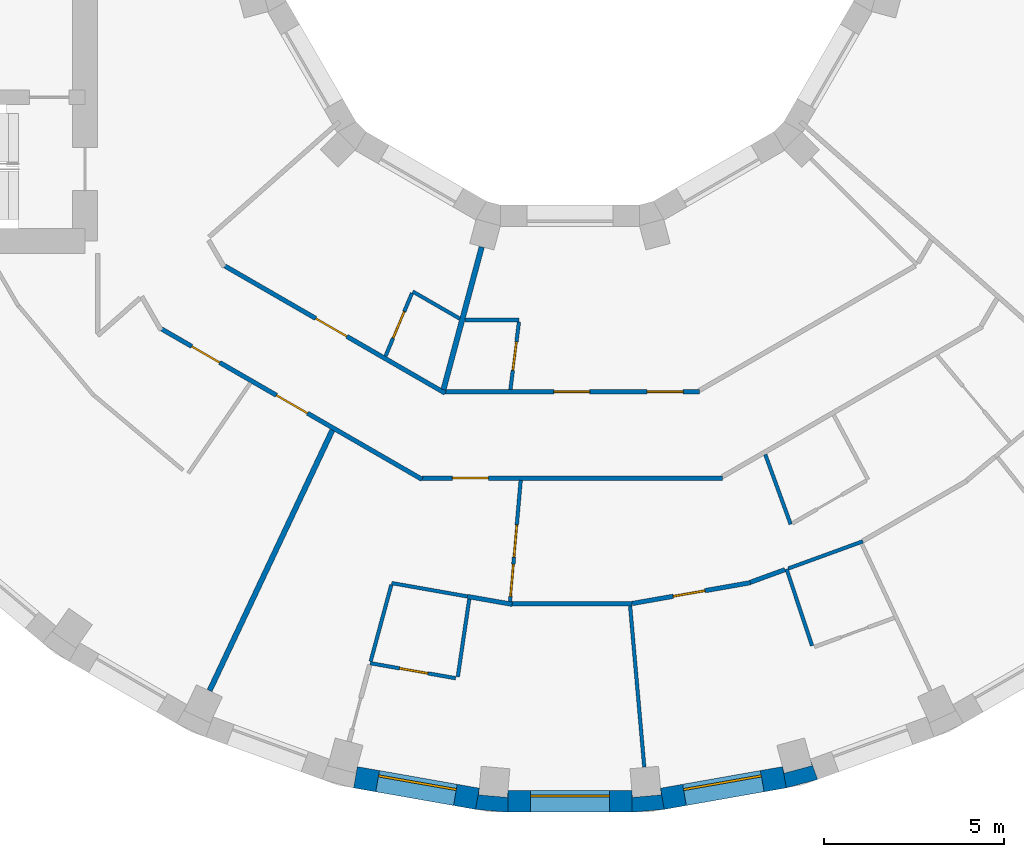
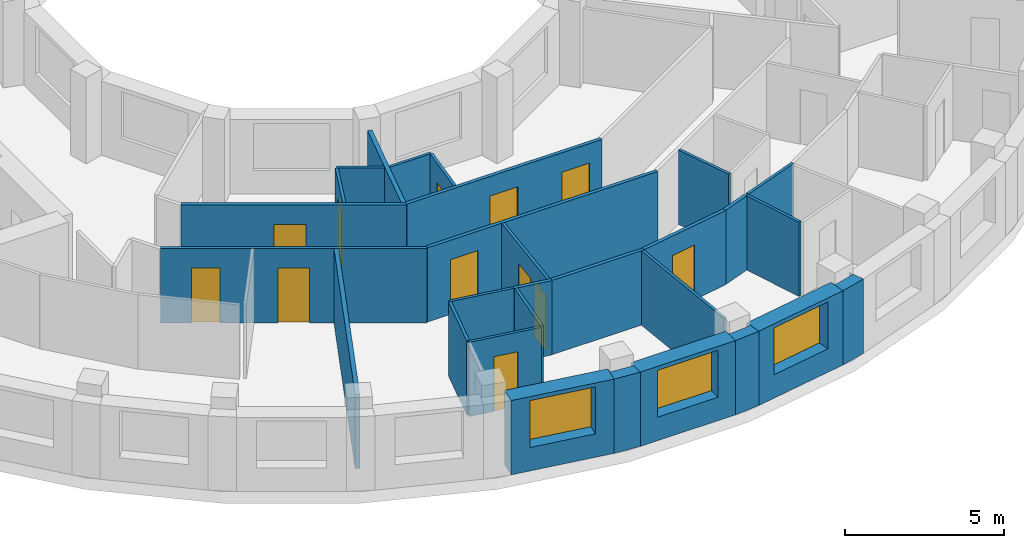
# One storey, part 4 of 13: 29 walls, 12 doors, 3 windows, 15 openings.
"""IFC4 building model written with IfcOpenShell, lengths in metres."""

from ifc_helpers import new_model, si_unit, direction, frame, frame_2d, origin, place, context, subcontext, project, spatial, polyline, rectangle, outline, extrude, material, layer, layer_set, type_object, element, fill, save


model = new_model("IFC4")

# Units and contexts
model_context = context("Model", 3, precision=1e-05, world=origin(), true_north=direction((0.0, 1.0)))
body_context = subcontext(model_context, "Body", "Model", "MODEL_VIEW")
ifc_project = project(units=[si_unit("LENGTHUNIT", "METRE"), si_unit("AREAUNIT", "SQUARE_METRE"), si_unit("VOLUMEUNIT", "CUBIC_METRE"), si_unit("PLANEANGLEUNIT", "RADIAN"), si_unit("MASSUNIT", "GRAM", prefix="KILO")], contexts=[model_context])

# Site, building, storey
site_placement = place(None, origin())
site = spatial("IfcSite", under=ifc_project, at=site_placement, CompositionType="ELEMENT")
building_placement = place(site_placement, origin())
building = spatial("IfcBuilding", under=site, at=building_placement, Name="Saqina Gate Tower", CompositionType="ELEMENT")
storey_placement = place(building_placement, frame((0.0, 0.0, 200.39990234375)))
storey = spatial("IfcBuildingStorey", under=building, at=storey_placement, Name="L57", CompositionType="ELEMENT", Elevation=200.39990234375)

# Walls
ifc_material_1 = material(Name="Brick masonry (buff)", Category="masonry")
wall_type_1 = type_object("IfcWallType", Name="BRICK PIER COPING BUFF", PredefinedType="SOLIDWALL", material=ifc_material_1)
wall_1_placement = place(storey_placement, origin())
element("IfcWall", 1, at=wall_1_placement, inside=storey, type_object=wall_type_1, Name="Pier cap L57 column 27", PredefinedType="SOLIDWALL", context=body_context, shape_type="SweptSolid", body=[
    extrude(outline(polyline([(-2.6259765625, -24.825927734375), (-1.724853515625, -24.90478515625), (-1.724853515625, -24.304931640625), (-1.7412109375, -24.491455078125), (-2.5380859375, -24.421630859375), (-2.521728515625, -24.235107421875), (-2.6259765625, -24.825927734375)])), origin(), (0.0, 0.0, 1.0), 2.85009765625),
])
wall_2_placement = place(storey_placement, origin())
element("IfcWall", 2, at=wall_2_placement, inside=storey, type_object=wall_type_1, Name="Pier cap L57 column 28", PredefinedType="SOLIDWALL", context=body_context, shape_type="SweptSolid", body=[
    extrude(outline(polyline([(1.724853515625, -24.90478515625), (2.6259765625, -24.825927734375), (2.521728515625, -24.235107421875), (2.5380859375, -24.421630859375), (1.7412109375, -24.491455078125), (1.724853515625, -24.304931640625), (1.724853515625, -24.90478515625)])), origin(), (0.0, 0.0, 1.0), 2.85009765625),
])
wall_3_placement = place(storey_placement, origin())
element("IfcWall", 3, at=wall_3_placement, inside=storey, type_object=wall_type_1, Name="Pier cap L57 column 29", PredefinedType="SOLIDWALL", context=body_context, shape_type="SweptSolid", body=[
    extrude(outline(polyline([(6.0234375, -24.22705078125), (6.897216796875, -23.992919921875), (6.69189453125, -23.428955078125), (6.740478515625, -23.610107421875), (5.967529296875, -23.81689453125), (5.919189453125, -23.635986328125), (6.0234375, -24.22705078125)])), origin(), (0.0, 0.0, 1.0), 2.85009765625),
])

# Wall, opening, window
ifc_material_2 = material(Name="Brick masonry (buff)", Category="masonry")
ifc_layer_1 = layer(ifc_material_2, 0.60009765625)
ifc_layer_set_1 = layer_set([ifc_layer_1], Name="FW-BRICK-BUFF")
wall_type_2 = type_object("IfcWallType", Name="FW-BRICK-BUFF", PredefinedType="SOLIDWALL", material=ifc_layer_set_1)
wall_4_placement = place(storey_placement, frame((-5.97119140625, -23.931640625, 0.0), z_axis=(0.0, 0.0, 1.0), x_axis=(0.984814892183, -0.173607684551, 0.0)))
wall_4 = element("IfcWall", 4, at=wall_4_placement, inside=storey, type_object=wall_type_2, Name="Facade wall L57 facet 26", PredefinedType="SOLIDWALL", context=body_context, shape_type="SweptSolid", body=[
    extrude(rectangle(XDim=3.44970703125, YDim=0.60009765625, at=frame_2d((1.724853515625, 0.0))), origin(), (0.0, 0.0, 1.0), 2.85009765625),
])
opening_1_placement = place(wall_4_placement, frame((0.625, 0.0, 0.89990234375)))
opening_1 = element("IfcOpeningElement", 5, at=opening_1_placement, cuts=wall_4, Name="Opening G17-W15", PredefinedType="OPENING", context=body_context, shape_type="SweptSolid", body=[
    extrude(rectangle(XDim=2.199951171875, YDim=1.800048828125, at=frame_2d((1.10009765625, 0.89990234375))), frame((0.0, 0.31201171875, 0.0), z_axis=(0.0, -1.0, 0.0), x_axis=(1.0, 0.0, 0.0)), (0.0, 0.0, 1.0), 0.6240234375),
])
ifc_material_3 = material(Name="Aluminium glazing", Category="aluminium")
window_type = type_object("IfcWindowType", Name="WN-C", PartitioningType="SINGLE_PANEL", PredefinedType="WINDOW", material=ifc_material_3)
window_1_placement = place(opening_1_placement, origin())
window_1 = element("IfcWindow", 6, at=window_1_placement, inside=storey, type_object=window_type, Name="Window L57 facet 26", OverallHeight=1.800048828125, OverallWidth=2.199951171875, PartitioningType="SINGLE_PANEL", PredefinedType="WINDOW", context=body_context, shape_type="SweptSolid", body=[
    extrude(rectangle(XDim=2.199951171875, YDim=1.800048828125, at=frame_2d((1.10009765625, 0.89990234375))), frame((0.0, 0.179931640625, 0.0), z_axis=(0.0, -1.0, 0.0), x_axis=(1.0, 0.0, 0.0)), (0.0, 0.0, 1.0), 0.06005859375),
])
fill(opening_1, window_1)

wall_5_placement = place(storey_placement, frame((-1.724853515625, -24.60498046875, 0.0), z_axis=(0.0, 0.0, 1.0), x_axis=(1.0, 0.0, 0.0)))
wall_5 = element("IfcWall", 7, at=wall_5_placement, inside=storey, type_object=wall_type_2, Name="Facade wall L57 facet 27", PredefinedType="SOLIDWALL", context=body_context, shape_type="SweptSolid", body=[
    extrude(rectangle(XDim=3.44970703125, YDim=0.60009765625, at=frame_2d((1.724853515625, 0.0))), origin(), (0.0, 0.0, 1.0), 2.85009765625),
])
opening_2_placement = place(wall_5_placement, frame((0.625, 0.0, 0.89990234375)))
opening_2 = element("IfcOpeningElement", 8, at=opening_2_placement, cuts=wall_5, Name="Opening G17-W16", PredefinedType="OPENING", context=body_context, shape_type="SweptSolid", body=[
    extrude(rectangle(XDim=2.199951171875, YDim=1.800048828125, at=frame_2d((1.10009765625, 0.89990234375))), frame((0.0, 0.31201171875, 0.0), z_axis=(0.0, -1.0, 0.0), x_axis=(1.0, 0.0, 0.0)), (0.0, 0.0, 1.0), 0.6240234375),
])
window_2_placement = place(opening_2_placement, origin())
window_2 = element("IfcWindow", 9, at=window_2_placement, inside=storey, type_object=window_type, Name="Window L57 facet 27", OverallHeight=1.800048828125, OverallWidth=2.199951171875, PartitioningType="SINGLE_PANEL", PredefinedType="WINDOW", context=body_context, shape_type="SweptSolid", body=[
    extrude(rectangle(XDim=2.199951171875, YDim=1.800048828125, at=frame_2d((1.10009765625, 0.89990234375))), frame((0.0, 0.179931640625, 0.0), z_axis=(0.0, -1.0, 0.0), x_axis=(1.0, 0.0, 0.0)), (0.0, 0.0, 1.0), 0.06005859375),
])
fill(opening_2, window_2)

wall_6_placement = place(storey_placement, frame((2.573974609375, -24.530517578125, 0.0), z_axis=(0.0, 0.0, 1.0), x_axis=(0.984814892183, 0.173607684551, 0.0)))
wall_6 = element("IfcWall", 10, at=wall_6_placement, inside=storey, type_object=wall_type_2, Name="Facade wall L57 facet 28", PredefinedType="SOLIDWALL", context=body_context, shape_type="SweptSolid", body=[
    extrude(rectangle(XDim=3.44970703125, YDim=0.60009765625, at=frame_2d((1.724853515625, 0.0))), origin(), (0.0, 0.0, 1.0), 2.85009765625),
])
opening_3_placement = place(wall_6_placement, frame((0.625, 0.0, 0.89990234375)))
opening_3 = element("IfcOpeningElement", 11, at=opening_3_placement, cuts=wall_6, Name="Opening G17-W17", PredefinedType="OPENING", context=body_context, shape_type="SweptSolid", body=[
    extrude(rectangle(XDim=2.199951171875, YDim=1.800048828125, at=frame_2d((1.10009765625, 0.89990234375))), frame((0.0, 0.31201171875, 0.0), z_axis=(0.0, -1.0, 0.0), x_axis=(1.0, 0.0, 0.0)), (0.0, 0.0, 1.0), 0.6240234375),
])
window_3_placement = place(opening_3_placement, origin())
window_3 = element("IfcWindow", 12, at=window_3_placement, inside=storey, type_object=window_type, Name="Window L57 facet 28", OverallHeight=1.800048828125, OverallWidth=2.199951171875, PartitioningType="SINGLE_PANEL", PredefinedType="WINDOW", context=body_context, shape_type="SweptSolid", body=[
    extrude(rectangle(XDim=2.199951171875, YDim=1.800048828125, at=frame_2d((1.10009765625, 0.89990234375))), frame((0.0, 0.179931640625, 0.0), z_axis=(0.0, -1.0, 0.0), x_axis=(1.0, 0.0, 0.0)), (0.0, 0.0, 1.0), 0.06005859375),
])
fill(opening_3, window_3)

# Walls
ifc_material_4 = material(Name="Gypsum board on steel studs, 100 mm", Category="steel")
ifc_layer_2 = layer(ifc_material_4, 0.10009765625)
ifc_layer_set_2 = layer_set([ifc_layer_2], Name="PARTITION 100")
wall_type_3 = type_object("IfcWallType", Name="PARTITION 100", PredefinedType="PARTITIONING", material=ifc_layer_set_2)
wall_7_placement = place(storey_placement, frame((1.6767578125, -19.167236328125, 0.0), z_axis=(0.0, 0.0, 1.0), x_axis=(0.087521667832, -0.996162616072, 0.0)))
element("IfcWall", 13, at=wall_7_placement, inside=storey, type_object=wall_type_3, Name="PARTITION PW3-01", PredefinedType="PARTITIONING", context=body_context, shape_type="SweptSolid", body=[
    extrude(rectangle(XDim=4.49951171875, YDim=0.10009765625, at=frame_2d((2.249755859375, 0.0))), origin(), (0.0, 0.0, 1.0), 2.85009765625),
])
wall_8_placement = place(storey_placement, frame((6.032958984375, -18.135009765625, 0.0), z_axis=(0.0, 0.0, 1.0), x_axis=(0.316032342538, -0.948748416847, 0.0)))
element("IfcWall", 14, at=wall_8_placement, inside=storey, type_object=wall_type_3, Name="PARTITION PW3-04", PredefinedType="PARTITIONING", context=body_context, shape_type="SweptSolid", body=[
    extrude(rectangle(XDim=2.248779296875, YDim=0.10009765625, at=frame_2d((1.12451171875, 0.0))), origin(), (0.0, 0.0, 1.0), 2.85009765625),
])
wall_9_placement = place(storey_placement, frame((5.439453125, -14.94384765625, 0.0), z_axis=(0.0, 0.0, 1.0), x_axis=(0.341828386263, -0.939762392493, 0.0)))
element("IfcWall", 15, at=wall_9_placement, inside=storey, type_object=wall_type_3, Name="PARTITION PW3-05", PredefinedType="PARTITIONING", context=body_context, shape_type="SweptSolid", body=[
    extrude(rectangle(XDim=2.067626953125, YDim=0.10009765625, at=frame_2d((1.03369140625, 0.0))), origin(), (0.0, 0.0, 1.0), 2.85009765625),
])
wall_10_placement = place(storey_placement, frame((-4.376953125, -10.406005859375, 0.0), z_axis=(0.0, 0.0, 1.0), x_axis=(0.86612113491, -0.499834152157, 0.0)))
element("IfcWall", 16, at=wall_10_placement, inside=storey, type_object=wall_type_3, Name="PARTITION PW3-28", PredefinedType="PARTITIONING", context=body_context, shape_type="SweptSolid", body=[
    extrude(rectangle(XDim=1.513671875, YDim=0.10009765625, at=frame_2d((0.7568359375, 0.0))), origin(), (0.0, 0.0, 1.0), 2.85009765625),
])

# Wall, opening, door
wall_11_placement = place(storey_placement, frame((-5.56103515625, -20.75390625, 0.0), z_axis=(0.0, 0.0, 1.0), x_axis=(0.984794734974, -0.173721990456, 0.0)))
wall_11 = element("IfcWall", 17, at=wall_11_placement, inside=storey, type_object=wall_type_3, Name="PARTITION PW3-35", PredefinedType="PARTITIONING", context=body_context, shape_type="SweptSolid", body=[
    extrude(rectangle(XDim=2.418701171875, YDim=0.10009765625, at=frame_2d((1.20947265625, 0.0))), origin(), (0.0, 0.0, 1.0), 2.85009765625),
])
opening_4_placement = place(wall_11_placement, frame((0.833740234375, 0.0, 0.0)))
opening_4 = element("IfcOpeningElement", 18, at=opening_4_placement, cuts=wall_11, Name="Opening G17-D32", PredefinedType="OPENING", context=body_context, shape_type="SweptSolid", body=[
    extrude(rectangle(XDim=0.800048828125, YDim=2.10009765625, at=frame_2d((0.39990234375, 1.050048828125))), frame((0.0, 0.06201171875, 0.0), z_axis=(0.0, -1.0, 0.0), x_axis=(1.0, 0.0, 0.0)), (0.0, 0.0, 1.0), 0.1240234375),
])
ifc_material_5 = material(Name="Timber door leaf, 800 mm", Category="wood")
door_type_1 = type_object("IfcDoorType", Name="DOOR 800 TIMBER", OperationType="SINGLE_SWING_LEFT", PredefinedType="DOOR", material=ifc_material_5)
door_1_placement = place(opening_4_placement, frame((0.800048828125, 0.0, 0.0), z_axis=(0.0, 0.0, 1.0), x_axis=(-1.0, 0.0, 0.0)))
door_1 = element("IfcDoor", 19, at=door_1_placement, inside=storey, type_object=door_type_1, Name="DOOR G17-D32", OperationType="SINGLE_SWING_LEFT", OverallHeight=2.10009765625, OverallWidth=0.800048828125, PredefinedType="DOOR", context=body_context, shape_type="SweptSolid", body=[
    extrude(rectangle(XDim=0.800048828125, YDim=2.10009765625, at=frame_2d((0.39990234375, 1.050048828125))), frame((0.0, 0.02490234375, 0.0), z_axis=(0.0, -1.0, 0.0), x_axis=(1.0, 0.0, 0.0)), (0.0, 0.0, 1.0), 0.050048828125),
])
fill(opening_4, door_1)

# Walls
wall_12_placement = place(storey_placement, frame((-4.962890625, -18.524169921875, 0.0), z_axis=(0.0, 0.0, 1.0), x_axis=(0.984783558818, -0.173785333909, 0.0)))
element("IfcWall", 20, at=wall_12_placement, inside=storey, type_object=wall_type_3, Name="PARTITION PW3-36", PredefinedType="PARTITIONING", context=body_context, shape_type="SweptSolid", body=[
    extrude(rectangle(XDim=2.140869140625, YDim=0.10009765625, at=frame_2d((1.0703125, 0.0))), origin(), (0.0, 0.0, 1.0), 2.85009765625),
])
wall_13_placement = place(storey_placement, frame((-2.926025390625, -11.199951171875, 0.0), z_axis=(0.0, 0.0, 1.0), x_axis=(1.0, 0.0, 0.0)))
element("IfcWall", 21, at=wall_13_placement, inside=storey, type_object=wall_type_3, Name="PARTITION PW3-37", PredefinedType="PARTITIONING", context=body_context, shape_type="SweptSolid", body=[
    extrude(rectangle(XDim=1.513916015625, YDim=0.10009765625, at=frame_2d((0.7568359375, 0.0))), origin(), (0.0, 0.0, 1.0), 2.85009765625),
])
wall_14_placement = place(storey_placement, frame((6.080078125, -18.117919921875, 0.0), z_axis=(0.0, 0.0, 1.0), x_axis=(0.939706230865, 0.341982747625, 0.0)))
element("IfcWall", 22, at=wall_14_placement, inside=storey, type_object=wall_type_3, Name="PARTITION PW3-40", PredefinedType="PARTITIONING", context=body_context, shape_type="SweptSolid", body=[
    extrude(rectangle(XDim=2.2080078125, YDim=0.10009765625, at=frame_2d((1.10400390625, 0.0))), origin(), (0.0, 0.0, 1.0), 2.85009765625),
])

# Wall, opening, door
wall_15_placement = place(storey_placement, frame((-5.134521484375, -12.2060546875, 0.0), z_axis=(0.0, 0.0, 1.0), x_axis=(0.387856236325, 0.921719881495, 0.0)))
wall_15 = element("IfcWall", 23, at=wall_15_placement, inside=storey, type_object=wall_type_3, Name="PARTITION PW3-63", PredefinedType="PARTITIONING", context=body_context, shape_type="SweptSolid", body=[
    extrude(rectangle(XDim=1.90283203125, YDim=0.10009765625, at=frame_2d((0.951416015625, 0.0))), origin(), (0.0, 0.0, 1.0), 2.85009765625),
])
opening_5_placement = place(wall_15_placement, frame((0.544921875, 0.0, 0.0)))
opening_5 = element("IfcOpeningElement", 24, at=opening_5_placement, cuts=wall_15, Name="Opening G17-D30", PredefinedType="OPENING", context=body_context, shape_type="SweptSolid", body=[
    extrude(rectangle(XDim=0.800048828125, YDim=2.10009765625, at=frame_2d((0.39990234375, 1.050048828125))), frame((0.0, 0.06201171875, 0.0), z_axis=(0.0, -1.0, 0.0), x_axis=(1.0, 0.0, 0.0)), (0.0, 0.0, 1.0), 0.1240234375),
])
door_2_placement = place(opening_5_placement, origin())
door_2 = element("IfcDoor", 25, at=door_2_placement, inside=storey, type_object=door_type_1, Name="DOOR G17-D30", OperationType="SINGLE_SWING_LEFT", OverallHeight=2.10009765625, OverallWidth=0.800048828125, PredefinedType="DOOR", context=body_context, shape_type="SweptSolid", body=[
    extrude(rectangle(XDim=0.800048828125, YDim=2.10009765625, at=frame_2d((0.39990234375, 1.050048828125))), frame((0.0, 0.02490234375, 0.0), z_axis=(0.0, -1.0, 0.0), x_axis=(1.0, 0.0, 0.0)), (0.0, 0.0, 1.0), 0.050048828125),
])
fill(opening_5, door_2)

# Walls
wall_16_placement = place(storey_placement, frame((-5.5478515625, -20.705810546875, 0.0), z_axis=(0.0, 0.0, 1.0), x_axis=(0.260881182377, 0.965370917669, 0.0)))
element("IfcWall", 26, at=wall_16_placement, inside=storey, type_object=wall_type_3, Name="PARTITION PW3-64", PredefinedType="PARTITIONING", context=body_context, shape_type="SweptSolid", body=[
    extrude(rectangle(XDim=2.20849609375, YDim=0.10009765625, at=frame_2d((1.104248046875, 0.0))), origin(), (0.0, 0.0, 1.0), 2.85009765625),
])
wall_17_placement = place(storey_placement, frame((-3.12158203125, -21.133544921875, 0.0), z_axis=(0.0, 0.0, 1.0), x_axis=(0.145934022426, 0.989294324809, 0.0)))
element("IfcWall", 27, at=wall_17_placement, inside=storey, type_object=wall_type_3, Name="PARTITION PW3-66", PredefinedType="PARTITIONING", context=body_context, shape_type="SweptSolid", body=[
    extrude(rectangle(XDim=2.188232421875, YDim=0.10009765625, at=frame_2d((1.09423828125, 0.0))), origin(), (0.0, 0.0, 1.0), 2.85009765625),
])

# Wall, opening, door
wall_18_placement = place(storey_placement, frame((-1.65625, -13.137939453125, 0.0), z_axis=(0.0, 0.0, 1.0), x_axis=(0.125060808232, 0.992149078639, 0.0)))
wall_18 = element("IfcWall", 28, at=wall_18_placement, inside=storey, type_object=wall_type_3, Name="PARTITION PW3-67", PredefinedType="PARTITIONING", context=body_context, shape_type="SweptSolid", body=[
    extrude(rectangle(XDim=1.9033203125, YDim=0.10009765625, at=frame_2d((0.95166015625, 0.0))), origin(), (0.0, 0.0, 1.0), 2.85009765625),
])
opening_6_placement = place(wall_18_placement, frame((0.54541015625, 0.0, 0.0)))
opening_6 = element("IfcOpeningElement", 29, at=opening_6_placement, cuts=wall_18, Name="Opening G17-D34", PredefinedType="OPENING", context=body_context, shape_type="SweptSolid", body=[
    extrude(rectangle(XDim=0.800048828125, YDim=2.10009765625, at=frame_2d((0.39990234375, 1.050048828125))), frame((0.0, 0.06201171875, 0.0), z_axis=(0.0, -1.0, 0.0), x_axis=(1.0, 0.0, 0.0)), (0.0, 0.0, 1.0), 0.1240234375),
])
door_3_placement = place(opening_6_placement, frame((0.800048828125, 0.0, 0.0), z_axis=(0.0, 0.0, 1.0), x_axis=(-1.0, 0.0, 0.0)))
door_3 = element("IfcDoor", 30, at=door_3_placement, inside=storey, type_object=door_type_1, Name="DOOR G17-D34", OperationType="SINGLE_SWING_RIGHT", OverallHeight=2.10009765625, OverallWidth=0.800048828125, PredefinedType="DOOR", context=body_context, shape_type="SweptSolid", body=[
    extrude(rectangle(XDim=0.800048828125, YDim=2.10009765625, at=frame_2d((0.39990234375, 1.050048828125))), frame((0.0, 0.02490234375, 0.0), z_axis=(0.0, -1.0, 0.0), x_axis=(1.0, 0.0, 0.0)), (0.0, 0.0, 1.0), 0.050048828125),
])
fill(opening_6, door_3)

# Wall, openings, doors
wall_19_placement = place(storey_placement, frame((-1.66552734375, -19.042724609375, 0.0), z_axis=(0.0, 0.0, 1.0), x_axis=(0.086986657325, 0.99620947669, 0.0)))
wall_19 = element("IfcWall", 31, at=wall_19_placement, inside=storey, type_object=wall_type_3, Name="PARTITION PW3-68", PredefinedType="PARTITIONING", context=body_context, shape_type="SweptSolid", body=[
    extrude(rectangle(XDim=3.393310546875, YDim=0.10009765625, at=frame_2d((1.69677734375, 0.0))), origin(), (0.0, 0.0, 1.0), 2.85009765625),
])
opening_7_placement = place(wall_19_placement, frame((1.24658203125, 0.0, 0.0)))
opening_7 = element("IfcOpeningElement", 32, at=opening_7_placement, cuts=wall_19, Name="Opening G17-D35", PredefinedType="OPENING", context=body_context, shape_type="SweptSolid", body=[
    extrude(rectangle(XDim=0.89990234375, YDim=2.10009765625, at=frame_2d((0.449951171875, 1.050048828125))), frame((0.0, 0.06201171875, 0.0), z_axis=(0.0, -1.0, 0.0), x_axis=(1.0, 0.0, 0.0)), (0.0, 0.0, 1.0), 0.1240234375),
])
opening_8_placement = place(wall_19_placement, frame((0.146728515625, 0.0, 0.0)))
opening_8 = element("IfcOpeningElement", 33, at=opening_8_placement, cuts=wall_19, Name="Opening G17-D36", PredefinedType="OPENING", context=body_context, shape_type="SweptSolid", body=[
    extrude(rectangle(XDim=0.89990234375, YDim=2.10009765625, at=frame_2d((0.449951171875, 1.050048828125))), frame((0.0, 0.06201171875, 0.0), z_axis=(0.0, -1.0, 0.0), x_axis=(1.0, 0.0, 0.0)), (0.0, 0.0, 1.0), 0.1240234375),
])
ifc_material_6 = material(Name="Timber door leaf, 900 mm", Category="wood")
door_type_2 = type_object("IfcDoorType", Name="DOOR 900 TIMBER", OperationType="SINGLE_SWING_LEFT", PredefinedType="DOOR", material=ifc_material_6)
door_4_placement = place(opening_7_placement, frame((0.89990234375, 0.0, 0.0), z_axis=(0.0, 0.0, 1.0), x_axis=(-1.0, 0.0, 0.0)))
door_4 = element("IfcDoor", 34, at=door_4_placement, inside=storey, type_object=door_type_2, Name="DOOR G17-D35", OperationType="SINGLE_SWING_LEFT", OverallHeight=2.10009765625, OverallWidth=0.89990234375, PredefinedType="DOOR", context=body_context, shape_type="SweptSolid", body=[
    extrude(rectangle(XDim=0.89990234375, YDim=2.10009765625, at=frame_2d((0.449951171875, 1.050048828125))), frame((0.0, 0.02490234375, 0.0), z_axis=(0.0, -1.0, 0.0), x_axis=(1.0, 0.0, 0.0)), (0.0, 0.0, 1.0), 0.050048828125),
])
fill(opening_7, door_4)
door_5_placement = place(opening_8_placement, frame((0.89990234375, 0.0, 0.0), z_axis=(0.0, 0.0, 1.0), x_axis=(-1.0, 0.0, 0.0)))
door_5 = element("IfcDoor", 35, at=door_5_placement, inside=storey, type_object=door_type_2, Name="DOOR G17-D36", OperationType="SINGLE_SWING_RIGHT", OverallHeight=2.10009765625, OverallWidth=0.89990234375, PredefinedType="DOOR", context=body_context, shape_type="SweptSolid", body=[
    extrude(rectangle(XDim=0.89990234375, YDim=2.10009765625, at=frame_2d((0.449951171875, 1.050048828125))), frame((0.0, 0.02490234375, 0.0), z_axis=(0.0, -1.0, 0.0), x_axis=(1.0, 0.0, 0.0)), (0.0, 0.0, 1.0), 0.050048828125),
])
fill(opening_8, door_5)

ifc_material_7 = material(Name="Gypsum board on steel studs, 125 mm, fire rated", Category="steel")
ifc_layer_3 = layer(ifc_material_7, 0.125)
ifc_layer_set_3 = layer_set([ifc_layer_3], Name="PARTITION EI 30 125")
wall_type_4 = type_object("IfcWallType", Name="PARTITION EI 30 125", PredefinedType="PARTITIONING", material=ifc_layer_set_3)
wall_20_placement = place(storey_placement, frame((-11.365966796875, -11.451171875, 0.0), z_axis=(0.0, 0.0, 1.0), x_axis=(0.866023369196, -0.500003523994, 0.0)))
wall_20 = element("IfcWall", 36, at=wall_20_placement, inside=storey, type_object=wall_type_4, Name="PARTITION PW1-16", PredefinedType="PARTITIONING", context=body_context, shape_type="SweptSolid", body=[
    extrude(rectangle(XDim=8.37109375, YDim=0.125, at=frame_2d((4.185546875, 0.0))), origin(), (0.0, 0.0, 1.0), 2.85009765625),
])
opening_9_placement = place(wall_20_placement, frame((0.965576171875, 0.0, 0.0)))
opening_9 = element("IfcOpeningElement", 37, at=opening_9_placement, cuts=wall_20, Name="Opening G17-D27", PredefinedType="OPENING", context=body_context, shape_type="SweptSolid", body=[
    extrude(rectangle(XDim=0.89990234375, YDim=2.10009765625, at=frame_2d((0.449951171875, 1.050048828125))), frame((0.0, 0.074462890625, 0.0), z_axis=(0.0, -1.0, 0.0), x_axis=(1.0, 0.0, 0.0)), (0.0, 0.0, 1.0), 0.14892578125),
])
opening_10_placement = place(wall_20_placement, frame((3.687744140625, 0.0, 0.0)))
opening_10 = element("IfcOpeningElement", 38, at=opening_10_placement, cuts=wall_20, Name="Opening G17-D29", PredefinedType="OPENING", context=body_context, shape_type="SweptSolid", body=[
    extrude(rectangle(XDim=1.0, YDim=2.10009765625, at=frame_2d((0.5, 1.050048828125))), frame((0.0, 0.074462890625, 0.0), z_axis=(0.0, -1.0, 0.0), x_axis=(1.0, 0.0, 0.0)), (0.0, 0.0, 1.0), 0.14892578125),
])
ifc_material_8 = material(Name="Fire door leaf EI 30, 1000 mm")
door_type_3 = type_object("IfcDoorType", Name="DOOR 1000 EI 30", OperationType="SINGLE_SWING_LEFT", PredefinedType="DOOR", material=ifc_material_8)
door_6_placement = place(opening_10_placement, origin())
door_6 = element("IfcDoor", 39, at=door_6_placement, inside=storey, type_object=door_type_3, Name="DOOR G17-D29", OperationType="SINGLE_SWING_RIGHT", OverallHeight=2.10009765625, OverallWidth=1.0, PredefinedType="DOOR", context=body_context, shape_type="SweptSolid", body=[
    extrude(rectangle(XDim=1.0, YDim=2.10009765625, at=frame_2d((0.5, 1.050048828125))), frame((0.0, 0.02490234375, 0.0), z_axis=(0.0, -1.0, 0.0), x_axis=(1.0, 0.0, 0.0)), (0.0, 0.0, 1.0), 0.050048828125),
])
fill(opening_10, door_6)
ifc_material_9 = material(Name="Fire door leaf EI 30, 900 mm")
door_type_4 = type_object("IfcDoorType", Name="DOOR 900 EI 30", OperationType="SINGLE_SWING_LEFT", PredefinedType="DOOR", material=ifc_material_9)
door_7_placement = place(opening_9_placement, frame((0.89990234375, 0.0, 0.0), z_axis=(0.0, 0.0, 1.0), x_axis=(-1.0, 0.0, 0.0)))
door_7 = element("IfcDoor", 40, at=door_7_placement, inside=storey, type_object=door_type_4, Name="DOOR G17-D27", OperationType="SINGLE_SWING_RIGHT", OverallHeight=2.10009765625, OverallWidth=0.89990234375, PredefinedType="DOOR", context=body_context, shape_type="SweptSolid", body=[
    extrude(rectangle(XDim=0.89990234375, YDim=2.10009765625, at=frame_2d((0.449951171875, 1.050048828125))), frame((0.0, 0.02490234375, 0.0), z_axis=(0.0, -1.0, 0.0), x_axis=(1.0, 0.0, 0.0)), (0.0, 0.0, 1.0), 0.050048828125),
])
fill(opening_9, door_7)

# Wall, opening, door
wall_21_placement = place(storey_placement, frame((-9.60888671875, -9.6943359375, 0.0), z_axis=(0.0, 0.0, 1.0), x_axis=(0.866017984103, -0.500012851046, 0.0)))
wall_21 = element("IfcWall", 41, at=wall_21_placement, inside=storey, type_object=wall_type_4, Name="PARTITION PW1-17", PredefinedType="PARTITIONING", context=body_context, shape_type="SweptSolid", body=[
    extrude(rectangle(XDim=7.083251953125, YDim=0.125, at=frame_2d((3.54150390625, 0.0))), origin(), (0.0, 0.0, 1.0), 2.85009765625),
])
opening_11_placement = place(wall_21_placement, frame((2.923095703125, 0.0, 0.0)))
opening_11 = element("IfcOpeningElement", 42, at=opening_11_placement, cuts=wall_21, Name="Opening G17-D28", PredefinedType="OPENING", context=body_context, shape_type="SweptSolid", body=[
    extrude(rectangle(XDim=1.0, YDim=2.10009765625, at=frame_2d((0.5, 1.050048828125))), frame((0.0, 0.074462890625, 0.0), z_axis=(0.0, -1.0, 0.0), x_axis=(1.0, 0.0, 0.0)), (0.0, 0.0, 1.0), 0.14892578125),
])
door_8_placement = place(opening_11_placement, origin())
door_8 = element("IfcDoor", 43, at=door_8_placement, inside=storey, type_object=door_type_3, Name="DOOR G17-D28", OperationType="SINGLE_SWING_LEFT", OverallHeight=2.10009765625, OverallWidth=1.0, PredefinedType="DOOR", context=body_context, shape_type="SweptSolid", body=[
    extrude(rectangle(XDim=1.0, YDim=2.10009765625, at=frame_2d((0.5, 1.050048828125))), frame((0.0, 0.02490234375, 0.0), z_axis=(0.0, -1.0, 0.0), x_axis=(1.0, 0.0, 0.0)), (0.0, 0.0, 1.0), 0.050048828125),
])
fill(opening_11, door_8)

# Walls
wall_22_placement = place(storey_placement, frame((-2.854736328125, -18.897216796875, 0.0), z_axis=(0.0, 0.0, 1.0), x_axis=(0.984944347712, -0.17287172097, 0.0)))
element("IfcWall", 44, at=wall_22_placement, inside=storey, type_object=wall_type_4, Name="PARTITION PW1-19", PredefinedType="PARTITIONING", context=body_context, shape_type="SweptSolid", body=[
    extrude(rectangle(XDim=1.265380859375, YDim=0.125, at=frame_2d((0.6328125, 0.0))), origin(), (0.0, 0.0, 1.0), 2.85009765625),
])
wall_23_placement = place(storey_placement, frame((-1.6083984375, -19.10498046875, 0.0), z_axis=(0.0, 0.0, 1.0), x_axis=(1.0, 0.0, 0.0)))
element("IfcWall", 45, at=wall_23_placement, inside=storey, type_object=wall_type_4, Name="PARTITION PW1-20", PredefinedType="PARTITIONING", context=body_context, shape_type="SweptSolid", body=[
    extrude(rectangle(XDim=3.3427734375, YDim=0.125, at=frame_2d((1.67138671875, 0.0))), origin(), (0.0, 0.0, 1.0), 2.85009765625),
])

# Wall, opening, door
wall_24_placement = place(storey_placement, frame((-4.116455078125, -15.60009765625, 0.0), z_axis=(0.0, 0.0, 1.0), x_axis=(1.0, 0.0, 0.0)))
wall_24 = element("IfcWall", 46, at=wall_24_placement, inside=storey, type_object=wall_type_4, Name="PARTITION PW1-21", PredefinedType="PARTITIONING", context=body_context, shape_type="SweptSolid", body=[
    extrude(rectangle(XDim=8.36865234375, YDim=0.125, at=frame_2d((4.184326171875, 0.0))), origin(), (0.0, 0.0, 1.0), 2.85009765625),
])
opening_12_placement = place(wall_24_placement, frame((0.844482421875, 0.0, 0.0)))
opening_12 = element("IfcOpeningElement", 47, at=opening_12_placement, cuts=wall_24, Name="Opening G17-D33", PredefinedType="OPENING", context=body_context, shape_type="SweptSolid", body=[
    extrude(rectangle(XDim=1.0, YDim=2.10009765625, at=frame_2d((0.5, 1.050048828125))), frame((0.0, 0.074462890625, 0.0), z_axis=(0.0, -1.0, 0.0), x_axis=(1.0, 0.0, 0.0)), (0.0, 0.0, 1.0), 0.14892578125),
])
door_9_placement = place(opening_12_placement, frame((1.0, 0.0, 0.0), z_axis=(0.0, 0.0, 1.0), x_axis=(-1.0, 0.0, 0.0)))
door_9 = element("IfcDoor", 48, at=door_9_placement, inside=storey, type_object=door_type_3, Name="DOOR G17-D33", OperationType="SINGLE_SWING_RIGHT", OverallHeight=2.10009765625, OverallWidth=1.0, PredefinedType="DOOR", context=body_context, shape_type="SweptSolid", body=[
    extrude(rectangle(XDim=1.0, YDim=2.10009765625, at=frame_2d((0.5, 1.050048828125))), frame((0.0, 0.02490234375, 0.0), z_axis=(0.0, -1.0, 0.0), x_axis=(1.0, 0.0, 0.0)), (0.0, 0.0, 1.0), 0.050048828125),
])
fill(opening_12, door_9)

# Wall, openings, doors
wall_25_placement = place(storey_placement, frame((-3.474609375, -13.199951171875, 0.0), z_axis=(0.0, 0.0, 1.0), x_axis=(1.0, 0.0, 0.0)))
wall_25 = element("IfcWall", 49, at=wall_25_placement, inside=storey, type_object=wall_type_4, Name="PARTITION PW1-22", PredefinedType="PARTITIONING", context=body_context, shape_type="SweptSolid", body=[
    extrude(rectangle(XDim=7.083740234375, YDim=0.125, at=frame_2d((3.5419921875, 0.0))), origin(), (0.0, 0.0, 1.0), 2.85009765625),
])
opening_13_placement = place(wall_25_placement, frame((3.025390625, 0.0, 0.0)))
opening_13 = element("IfcOpeningElement", 50, at=opening_13_placement, cuts=wall_25, Name="Opening G17-D37", PredefinedType="OPENING", context=body_context, shape_type="SweptSolid", body=[
    extrude(rectangle(XDim=1.0, YDim=2.10009765625, at=frame_2d((0.5, 1.050048828125))), frame((0.0, 0.074462890625, 0.0), z_axis=(0.0, -1.0, 0.0), x_axis=(1.0, 0.0, 0.0)), (0.0, 0.0, 1.0), 0.14892578125),
])
opening_14_placement = place(wall_25_placement, frame((5.62646484375, 0.0, 0.0)))
opening_14 = element("IfcOpeningElement", 51, at=opening_14_placement, cuts=wall_25, Name="Opening G17-D39", PredefinedType="OPENING", context=body_context, shape_type="SweptSolid", body=[
    extrude(rectangle(XDim=1.0, YDim=2.10009765625, at=frame_2d((0.5, 1.050048828125))), frame((0.0, 0.074462890625, 0.0), z_axis=(0.0, -1.0, 0.0), x_axis=(1.0, 0.0, 0.0)), (0.0, 0.0, 1.0), 0.14892578125),
])
door_10_placement = place(opening_13_placement, origin())
door_10 = element("IfcDoor", 52, at=door_10_placement, inside=storey, type_object=door_type_3, Name="DOOR G17-D37", OperationType="SINGLE_SWING_LEFT", OverallHeight=2.10009765625, OverallWidth=1.0, PredefinedType="DOOR", context=body_context, shape_type="SweptSolid", body=[
    extrude(rectangle(XDim=1.0, YDim=2.10009765625, at=frame_2d((0.5, 1.050048828125))), frame((0.0, 0.02490234375, 0.0), z_axis=(0.0, -1.0, 0.0), x_axis=(1.0, 0.0, 0.0)), (0.0, 0.0, 1.0), 0.050048828125),
])
fill(opening_13, door_10)
door_11_placement = place(opening_14_placement, origin())
door_11 = element("IfcDoor", 53, at=door_11_placement, inside=storey, type_object=door_type_3, Name="DOOR G17-D39", OperationType="SINGLE_SWING_RIGHT", OverallHeight=2.10009765625, OverallWidth=1.0, PredefinedType="DOOR", context=body_context, shape_type="SweptSolid", body=[
    extrude(rectangle(XDim=1.0, YDim=2.10009765625, at=frame_2d((0.5, 1.050048828125))), frame((0.0, 0.02490234375, 0.0), z_axis=(0.0, -1.0, 0.0), x_axis=(1.0, 0.0, 0.0)), (0.0, 0.0, 1.0), 0.050048828125),
])
fill(opening_14, door_11)

# Wall, opening, door
wall_26_placement = place(storey_placement, frame((1.732421875, -19.093994140625, 0.0), z_axis=(0.0, 0.0, 1.0), x_axis=(0.984782824009, 0.173789497774, 0.0)))
wall_26 = element("IfcWall", 54, at=wall_26_placement, inside=storey, type_object=wall_type_4, Name="PARTITION PW1-25", PredefinedType="PARTITIONING", context=body_context, shape_type="SweptSolid", body=[
    extrude(rectangle(XDim=3.3447265625, YDim=0.125, at=frame_2d((1.67236328125, 0.0))), origin(), (0.0, 0.0, 1.0), 2.85009765625),
])
opening_15_placement = place(wall_26_placement, frame((1.159423828125, 0.0, 0.0)))
opening_15 = element("IfcOpeningElement", 55, at=opening_15_placement, cuts=wall_26, Name="Opening G17-D38", PredefinedType="OPENING", context=body_context, shape_type="SweptSolid", body=[
    extrude(rectangle(XDim=0.89990234375, YDim=2.10009765625, at=frame_2d((0.449951171875, 1.050048828125))), frame((0.0, 0.074462890625, 0.0), z_axis=(0.0, -1.0, 0.0), x_axis=(1.0, 0.0, 0.0)), (0.0, 0.0, 1.0), 0.14892578125),
])
door_12_placement = place(opening_15_placement, origin())
door_12 = element("IfcDoor", 56, at=door_12_placement, inside=storey, type_object=door_type_4, Name="DOOR G17-D38", OperationType="SINGLE_SWING_LEFT", OverallHeight=2.10009765625, OverallWidth=0.89990234375, PredefinedType="DOOR", context=body_context, shape_type="SweptSolid", body=[
    extrude(rectangle(XDim=0.89990234375, YDim=2.10009765625, at=frame_2d((0.449951171875, 1.050048828125))), frame((0.0, 0.02490234375, 0.0), z_axis=(0.0, -1.0, 0.0), x_axis=(1.0, 0.0, 0.0)), (0.0, 0.0, 1.0), 0.050048828125),
])
fill(opening_15, door_12)

# Walls
wall_27_placement = place(storey_placement, frame((5.022705078125, -18.502685546875, 0.0), z_axis=(0.0, 0.0, 1.0), x_axis=(0.939605522223, 0.34225934992, 0.0)))
element("IfcWall", 57, at=wall_27_placement, inside=storey, type_object=wall_type_4, Name="PARTITION PW1-26", PredefinedType="PARTITIONING", context=body_context, shape_type="SweptSolid", body=[
    extrude(rectangle(XDim=1.025146484375, YDim=0.125, at=frame_2d((0.5126953125, 0.0))), origin(), (0.0, 0.0, 1.0), 2.85009765625),
])
ifc_material_10 = material(Name="Gypsum board on steel studs, 150 mm, fire rated", Category="steel")
ifc_layer_4 = layer(ifc_material_10, 0.14990234375)
ifc_layer_set_4 = layer_set([ifc_layer_4], Name="PARTITION EI 60 150")
wall_type_5 = type_object("IfcWallType", Name="PARTITION EI 60 150", PredefinedType="PARTITIONING", material=ifc_layer_set_4)
wall_28_placement = place(storey_placement, frame((-10.03125, -21.5166015625, 0.0), z_axis=(0.0, 0.0, 1.0), x_axis=(0.426351254657, 0.904557686194, 0.0)))
element("IfcWall", 58, at=wall_28_placement, inside=storey, type_object=wall_type_5, Name="PARTITION PW2-05", PredefinedType="PARTITIONING", context=body_context, shape_type="SweptSolid", body=[
    extrude(rectangle(XDim=8.017822265625, YDim=0.14990234375, at=frame_2d((4.0087890625, 0.0))), origin(), (0.0, 0.0, 1.0), 2.85009765625),
])
wall_29_placement = place(storey_placement, frame((-3.520751953125, -13.1396484375, 0.0), z_axis=(0.0, 0.0, 1.0), x_axis=(0.258863724951, 0.965913853252, 0.0)))
element("IfcWall", 59, at=wall_29_placement, inside=storey, type_object=wall_type_5, Name="PARTITION PW2-07", PredefinedType="PARTITIONING", context=body_context, shape_type="SweptSolid", body=[
    extrude(rectangle(XDim=4.111083984375, YDim=0.14990234375, at=frame_2d((2.0556640625, 0.0))), origin(), (0.0, 0.0, 1.0), 2.85009765625),
])

save(model, "model.ifc")
